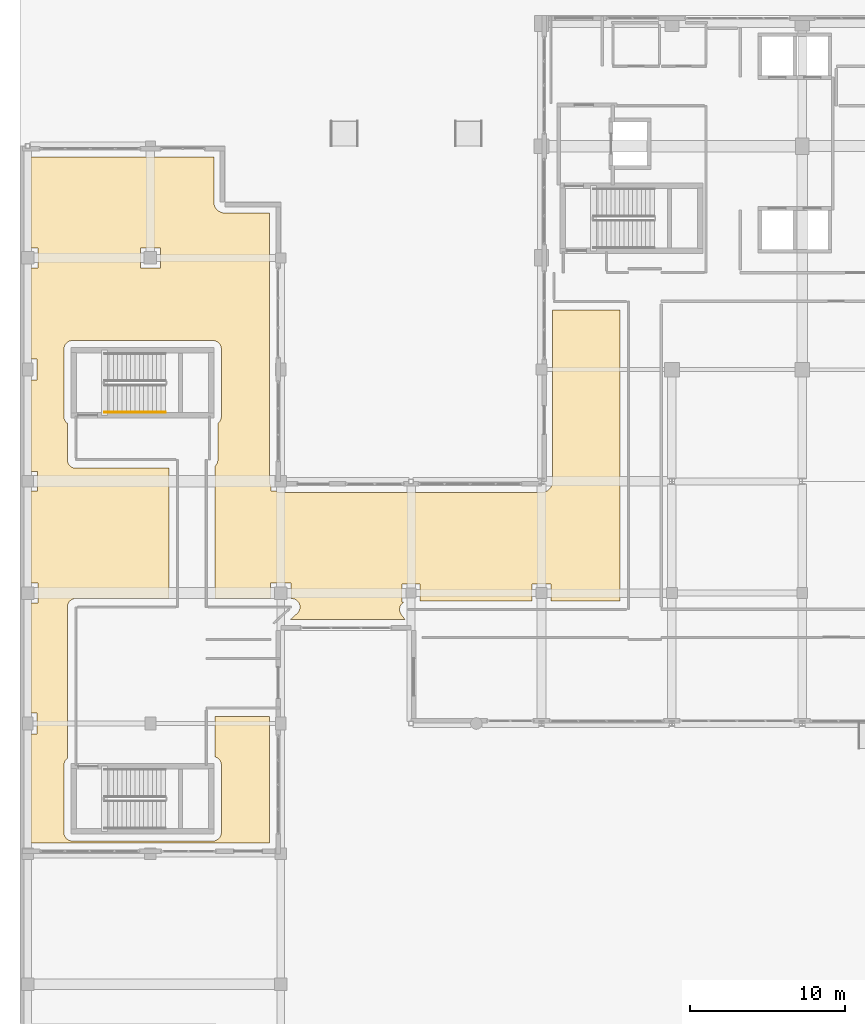
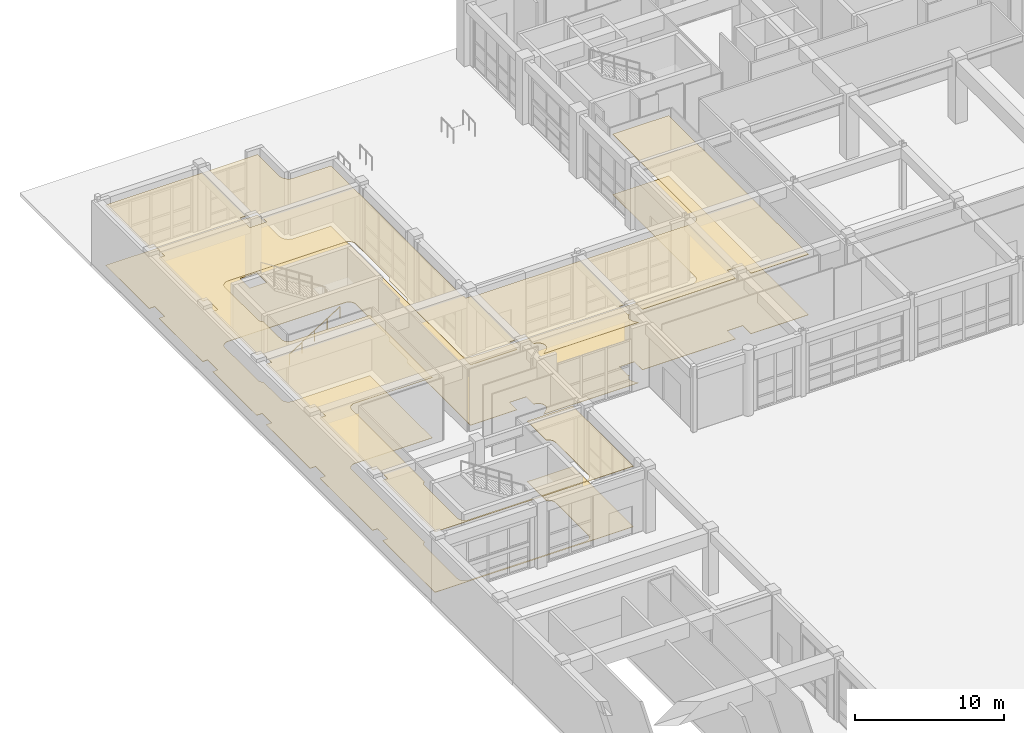
# One storey, part 141 of 148: 2 coverings, 1 railing.
"""IFC4 building model written with IfcOpenShell, lengths in metres."""

from ifc_helpers import new_model, si_unit, direction, frame, origin, origin_2d, place, context, subcontext, project, spatial, polyline, circle, outline, extrude, material, layer, layer_set, type_object, element, save


model = new_model("IFC4")

# Units and contexts
model_context = context("Model", 3, precision=1e-05, world=origin(), true_north=direction((0.0, 1.0)))
body_context = subcontext(model_context, "Body", "Model", "MODEL_VIEW")
ifc_project = project(units=[si_unit("LENGTHUNIT", "METRE"), si_unit("AREAUNIT", "SQUARE_METRE"), si_unit("VOLUMEUNIT", "CUBIC_METRE"), si_unit("PLANEANGLEUNIT", "RADIAN"), si_unit("MASSUNIT", "GRAM", prefix="KILO")], contexts=[model_context])

# Site, building, storey
site_placement = place(None, origin())
site = spatial("IfcSite", under=ifc_project, at=site_placement, CompositionType="ELEMENT")
building_placement = place(site_placement, origin())
building = spatial("IfcBuilding", under=site, at=building_placement, Name="Quendrovan Civic Courthouse", CompositionType="ELEMENT")
storey_placement = place(building_placement, origin())
storey = spatial("IfcBuildingStorey", under=building, at=storey_placement, Name="L01", CompositionType="ELEMENT", Elevation=0.0)

# Coverings
ifc_material_1 = material(Name="Perforated Western Red Cedar and mineral acoustic ceiling")
ifc_layer_1 = layer(ifc_material_1, 0.034912109375, Name="Perforated Western Red Cedar and mineral acoustic ceiling")
ifc_layer_set_1 = layer_set([ifc_layer_1], Name="Perforated Western Red Cedar and mineral acoustic ceiling")
covering_type_1 = type_object("IfcCoveringType", Name="COV-CEIL-ACOUSTIC", PredefinedType="CEILING", material=ifc_layer_set_1)
covering_1_placement = place(storey_placement, frame((0.0, 0.0, 4.945068359375)))
element("IfcCovering", 1, at=covering_1_placement, inside=storey, type_object=covering_type_1, Name="L01 Public Hall Acoustic Ceiling", PredefinedType="CEILING", context=body_context, shape_type="SweptSolid", body=[
    extrude(outline(polyline([(33.95849609375, 79.787353515625), (33.971923828125, 79.79541015625), (34.015380859375, 79.824462890625), (34.028076171875, 79.833740234375), (34.072509765625, 79.870361328125), (34.083984375, 79.880859375), (34.119140625, 79.916015625), (34.129638671875, 79.927490234375), (34.166259765625, 79.971923828125), (34.175537109375, 79.984619140625), (34.20458984375, 80.028076171875), (34.212646484375, 80.04150390625), (34.238525390625, 80.08984375), (34.2451171875, 80.10400390625), (34.265625, 80.1533203125), (34.27099609375, 80.168212890625), (34.28662109375, 80.22021484375), (34.29052734375, 80.2353515625), (34.30078125, 80.2880859375), (34.30322265625, 80.3037109375), (34.30859375, 80.356201171875), (34.309326171875, 80.3720703125), (34.31005859375, 80.39990234375), (34.31005859375, 91.4580078125), (34.34619140625, 91.45263671875), (34.39990234375, 91.449951171875), (38.64990234375, 91.449951171875), (38.64990234375, 72.699951171875), (34.199951171875, 72.699951171875), (34.199951171875, 73.800048828125), (33.0, 73.800048828125), (33.0, 72.699951171875), (25.77490234375, 72.699951171875), (25.77490234375, 73.77490234375), (24.625, 73.77490234375), (24.625, 72.625), (24.73095703125, 72.625), (24.6953125, 72.603271484375), (24.651611328125, 72.569580078125), (24.611328125, 72.531982421875), (24.574951171875, 72.490234375), (24.543212890625, 72.4453125), (24.515869140625, 72.397216796875), (24.493408203125, 72.3466796875), (24.476318359375, 72.294189453125), (24.464599609375, 72.240478515625), (24.458251953125, 72.185546875), (24.45751953125, 72.13037109375), (24.462158203125, 72.075439453125), (24.472412109375, 72.02099609375), (24.488037109375, 71.96826171875), (24.5087890625, 71.9169921875), (24.53466796875, 71.868408203125), (24.565185546875, 71.822509765625), (24.797119140625, 71.510009765625), (17.435791015625, 71.510009765625), (17.857666015625, 71.892578125), (17.896484375, 71.931396484375), (17.931396484375, 71.97412109375), (17.9619140625, 72.02001953125), (17.9873046875, 72.06884765625), (18.008056640625, 72.1201171875), (18.0234375, 72.1728515625), (18.033447265625, 72.22705078125), (18.0380859375, 72.281982421875), (18.037109375, 72.337158203125), (18.030517578125, 72.391845703125), (18.018798828125, 72.445556640625), (18.00146484375, 72.497802734375), (17.97900390625, 72.54833984375), (17.951904296875, 72.59619140625), (17.919921875, 72.64111328125), (17.883544921875, 72.6826171875), (17.84326171875, 72.72021484375), (17.799560546875, 72.75341796875), (17.75244140625, 72.782470703125), (17.702880859375, 72.806396484375), (17.651123046875, 72.8251953125), (17.597900390625, 72.839111328125), (17.543212890625, 72.84716796875), (17.48828125, 72.85009765625), (17.449951171875, 72.85009765625), (17.449951171875, 73.85009765625), (16.14990234375, 73.85009765625), (16.14990234375, 72.85009765625), (12.550048828125, 72.85009765625), (12.550048828125, 81.375732421875), (12.5888671875, 81.4111328125), (12.625244140625, 81.451171875), (12.6572265625, 81.494384765625), (12.68505859375, 81.540771484375), (12.7080078125, 81.589599609375), (12.726318359375, 81.640380859375), (12.739501953125, 81.692626953125), (12.747314453125, 81.74609375), (12.75, 81.800048828125), (12.75, 84.140869140625), (12.768798828125, 84.15478515625), (12.808837890625, 84.191162109375), (12.84521484375, 84.231201171875), (12.877197265625, 84.2744140625), (12.905029296875, 84.32080078125), (12.927978515625, 84.369384765625), (12.9462890625, 84.42041015625), (12.95947265625, 84.47265625), (12.96728515625, 84.526123046875), (12.969970703125, 84.580078125), (12.969970703125, 88.919921875), (12.96728515625, 88.973876953125), (12.95947265625, 89.02734375), (12.9462890625, 89.07958984375), (12.927978515625, 89.130615234375), (12.905029296875, 89.17919921875), (12.877197265625, 89.2255859375), (12.84521484375, 89.268798828125), (12.808837890625, 89.308837890625), (12.768798828125, 89.34521484375), (12.7255859375, 89.377197265625), (12.67919921875, 89.405029296875), (12.630615234375, 89.427978515625), (12.57958984375, 89.4462890625), (12.52734375, 89.45947265625), (12.473876953125, 89.46728515625), (12.419921875, 89.469970703125), (3.3798828125, 89.469970703125), (3.326171875, 89.46728515625), (3.272705078125, 89.45947265625), (3.22021484375, 89.4462890625), (3.16943359375, 89.427978515625), (3.12060546875, 89.405029296875), (3.074462890625, 89.377197265625), (3.031005859375, 89.34521484375), (2.9912109375, 89.308837890625), (2.954833984375, 89.268798828125), (2.922607421875, 89.2255859375), (2.89501953125, 89.17919921875), (2.871826171875, 89.130615234375), (2.853759765625, 89.07958984375), (2.840576171875, 89.02734375), (2.83251953125, 88.973876953125), (2.830078125, 88.919921875), (2.830078125, 84.580078125), (2.83251953125, 84.526123046875), (2.840576171875, 84.47265625), (2.853759765625, 84.42041015625), (2.871826171875, 84.369384765625), (2.89501953125, 84.32080078125), (2.922607421875, 84.2744140625), (2.954833984375, 84.231201171875), (2.9912109375, 84.191162109375), (3.031005859375, 84.15478515625), (3.050048828125, 84.140869140625), (3.050048828125, 81.800048828125), (3.052490234375, 81.74609375), (3.060546875, 81.692626953125), (3.07373046875, 81.640380859375), (3.091796875, 81.589599609375), (3.114990234375, 81.540771484375), (3.142578125, 81.494384765625), (3.1748046875, 81.451171875), (3.211181640625, 81.4111328125), (3.251220703125, 81.374755859375), (3.29443359375, 81.3427734375), (3.3408203125, 81.31494140625), (3.389404296875, 81.2919921875), (3.440185546875, 81.273681640625), (3.49267578125, 81.260498046875), (3.546142578125, 81.252685546875), (3.60009765625, 81.25), (9.60009765625, 81.25), (9.60009765625, 72.85009765625), (3.60009765625, 72.85009765625), (3.546142578125, 72.847412109375), (3.49267578125, 72.83935546875), (3.440185546875, 72.826416015625), (3.389404296875, 72.80810546875), (3.3408203125, 72.78515625), (3.29443359375, 72.75732421875), (3.251220703125, 72.72509765625), (3.211181640625, 72.68896484375), (3.1748046875, 72.64892578125), (3.142578125, 72.605712890625), (3.114990234375, 72.559326171875), (3.091796875, 72.510498046875), (3.07373046875, 72.459716796875), (3.060546875, 72.4072265625), (3.052490234375, 72.35400390625), (3.050048828125, 72.300048828125), (3.050048828125, 62.55908203125), (3.031005859375, 62.545166015625), (2.9912109375, 62.5087890625), (2.954833984375, 62.468994140625), (2.922607421875, 62.425537109375), (2.89501953125, 62.37939453125), (2.871826171875, 62.33056640625), (2.853759765625, 62.27978515625), (2.840576171875, 62.227294921875), (2.83251953125, 62.173828125), (2.830078125, 62.1201171875), (2.830078125, 57.780029296875), (2.83251953125, 57.72607421875), (2.840576171875, 57.672607421875), (2.853759765625, 57.620361328125), (2.871826171875, 57.569580078125), (2.89501953125, 57.520751953125), (2.922607421875, 57.474365234375), (2.954833984375, 57.43115234375), (2.9912109375, 57.39111328125), (3.031005859375, 57.354736328125), (3.074462890625, 57.32275390625), (3.12060546875, 57.294921875), (3.16943359375, 57.27197265625), (3.22021484375, 57.253662109375), (3.272705078125, 57.240478515625), (3.326171875, 57.232666015625), (3.3798828125, 57.22998046875), (12.419921875, 57.22998046875), (12.473876953125, 57.232666015625), (12.52734375, 57.240478515625), (12.57958984375, 57.253662109375), (12.630615234375, 57.27197265625), (12.67919921875, 57.294921875), (12.7255859375, 57.32275390625), (12.768798828125, 57.354736328125), (12.808837890625, 57.39111328125), (12.84521484375, 57.43115234375), (12.877197265625, 57.474365234375), (12.905029296875, 57.520751953125), (12.927978515625, 57.569580078125), (12.9462890625, 57.620361328125), (12.95947265625, 57.672607421875), (12.96728515625, 57.72607421875), (12.969970703125, 57.780029296875), (12.969970703125, 62.1201171875), (12.96728515625, 62.173828125), (12.95947265625, 62.227294921875), (12.9462890625, 62.27978515625), (12.927978515625, 62.33056640625), (12.905029296875, 62.37939453125), (12.877197265625, 62.425537109375), (12.84521484375, 62.468994140625), (12.808837890625, 62.5087890625), (12.768798828125, 62.545166015625), (12.7255859375, 62.577392578125), (12.67919921875, 62.60498046875), (12.630615234375, 62.628173828125), (12.57958984375, 62.646240234375), (12.550048828125, 62.65380859375), (12.550048828125, 65.25), (16.090087890625, 65.25), (16.090087890625, 57.110107421875), (0.7099609375, 57.110107421875), (0.7099609375, 64.125), (1.10009765625, 64.125), (1.10009765625, 65.47509765625), (0.7099609375, 65.47509765625), (0.7099609375, 72.550048828125), (1.14990234375, 72.550048828125), (1.14990234375, 73.85009765625), (0.7099609375, 73.85009765625), (0.7099609375, 79.77490234375), (1.125, 79.77490234375), (1.125, 81.02490234375), (0.7099609375, 81.02490234375), (0.7099609375, 86.925048828125), (1.10009765625, 86.925048828125), (1.10009765625, 88.27490234375), (0.7099609375, 88.27490234375), (0.7099609375, 94.14990234375), (1.14990234375, 94.14990234375), (1.14990234375, 95.449951171875), (0.7099609375, 95.449951171875), (0.7099609375, 101.2900390625), (12.489990234375, 101.2900390625), (12.489990234375, 98.39990234375), (12.49072265625, 98.3720703125), (12.491455078125, 98.356201171875), (12.496826171875, 98.3037109375), (12.4990234375, 98.2880859375), (12.509521484375, 98.2353515625), (12.51318359375, 98.22021484375), (12.529052734375, 98.168212890625), (12.534423828125, 98.1533203125), (12.5546875, 98.10400390625), (12.5615234375, 98.08984375), (12.58740234375, 98.04150390625), (12.595458984375, 98.028076171875), (12.62451171875, 97.984619140625), (12.6337890625, 97.971923828125), (12.67041015625, 97.927490234375), (12.680908203125, 97.916015625), (12.7158203125, 97.880859375), (12.7275390625, 97.870361328125), (12.77197265625, 97.833740234375), (12.784423828125, 97.824462890625), (12.828125, 97.79541015625), (12.841552734375, 97.787353515625), (12.889892578125, 97.761474609375), (12.904052734375, 97.7548828125), (12.953369140625, 97.734375), (12.96826171875, 97.72900390625), (13.020263671875, 97.71337890625), (13.035400390625, 97.70947265625), (13.088134765625, 97.69921875), (13.103515625, 97.69677734375), (13.15625, 97.69140625), (13.172119140625, 97.690673828125), (13.199951171875, 97.68994140625), (16.090087890625, 97.68994140625), (16.090087890625, 80.39990234375), (16.0908203125, 80.3720703125), (16.091552734375, 80.356201171875), (16.0966796875, 80.3037109375), (16.09912109375, 80.2880859375), (16.109619140625, 80.2353515625), (16.11328125, 80.22021484375), (16.129150390625, 80.168212890625), (16.134521484375, 80.1533203125), (16.15478515625, 80.10400390625), (16.16162109375, 80.08984375), (16.175048828125, 80.064697265625), (16.175048828125, 79.77490234375), (16.464599609375, 79.77490234375), (16.489990234375, 79.761474609375), (16.504150390625, 79.7548828125), (16.553466796875, 79.734375), (16.568115234375, 79.72900390625), (16.6201171875, 79.71337890625), (16.635498046875, 79.70947265625), (16.68798828125, 79.69921875), (16.70361328125, 79.69677734375), (16.75634765625, 79.69140625), (16.77197265625, 79.690673828125), (16.800048828125, 79.68994140625), (33.60009765625, 79.68994140625), (33.6279296875, 79.690673828125), (33.643798828125, 79.69140625), (33.6962890625, 79.69677734375), (33.7119140625, 79.69921875), (33.7646484375, 79.70947265625), (33.77978515625, 79.71337890625), (33.831787109375, 79.72900390625), (33.8466796875, 79.734375), (33.89599609375, 79.7548828125), (33.91015625, 79.761474609375), (33.95849609375, 79.787353515625)]), holes=[polyline([(9.050048828125, 95.449951171875), (7.75, 95.449951171875), (7.75, 94.14990234375), (9.050048828125, 94.14990234375), (9.050048828125, 95.449951171875)])]), origin(), (0.0, 0.0, 1.0), 0.034912109375),
])
ifc_material_2 = material(Name="Honed Dominican coralina limestone flooring", Category="masonry")
ifc_layer_2 = layer(ifc_material_2, 0.030029296875, Name="Honed Dominican coralina limestone flooring")
ifc_layer_set_2 = layer_set([ifc_layer_2], Name="Honed Dominican coralina limestone flooring")
covering_type_2 = type_object("IfcCoveringType", Name="COV-FLOR-STONE", PredefinedType="FLOORING", material=ifc_layer_set_2)
covering_2_placement = place(storey_placement, origin())
element("IfcCovering", 2, at=covering_2_placement, inside=storey, type_object=covering_type_2, Name="L01 Public Hall Finish Flooring", PredefinedType="FLOORING", context=body_context, shape_type="SweptSolid", body=[
    extrude(outline(polyline([(33.95849609375, 79.787353515625), (33.971923828125, 79.79541015625), (34.015380859375, 79.824462890625), (34.028076171875, 79.833740234375), (34.072509765625, 79.870361328125), (34.083984375, 79.880859375), (34.119140625, 79.916015625), (34.129638671875, 79.927490234375), (34.166259765625, 79.971923828125), (34.175537109375, 79.984619140625), (34.20458984375, 80.028076171875), (34.212646484375, 80.04150390625), (34.238525390625, 80.08984375), (34.2451171875, 80.10400390625), (34.265625, 80.1533203125), (34.27099609375, 80.168212890625), (34.28662109375, 80.22021484375), (34.29052734375, 80.2353515625), (34.30078125, 80.2880859375), (34.30322265625, 80.3037109375), (34.30859375, 80.356201171875), (34.309326171875, 80.3720703125), (34.31005859375, 80.39990234375), (34.31005859375, 91.4580078125), (34.34619140625, 91.45263671875), (34.39990234375, 91.449951171875), (38.64990234375, 91.449951171875), (38.64990234375, 72.699951171875), (34.199951171875, 72.699951171875), (34.199951171875, 73.800048828125), (33.0, 73.800048828125), (33.0, 72.699951171875), (25.77490234375, 72.699951171875), (25.77490234375, 73.77490234375), (24.625, 73.77490234375), (24.625, 72.625), (24.73095703125, 72.625), (24.6953125, 72.603271484375), (24.651611328125, 72.569580078125), (24.611328125, 72.531982421875), (24.574951171875, 72.490234375), (24.543212890625, 72.4453125), (24.515869140625, 72.397216796875), (24.493408203125, 72.3466796875), (24.476318359375, 72.294189453125), (24.464599609375, 72.240478515625), (24.458251953125, 72.185546875), (24.45751953125, 72.13037109375), (24.462158203125, 72.075439453125), (24.472412109375, 72.02099609375), (24.488037109375, 71.96826171875), (24.5087890625, 71.9169921875), (24.53466796875, 71.868408203125), (24.565185546875, 71.822509765625), (24.797119140625, 71.510009765625), (17.435791015625, 71.510009765625), (17.857666015625, 71.892578125), (17.896484375, 71.931396484375), (17.931396484375, 71.97412109375), (17.9619140625, 72.02001953125), (17.9873046875, 72.06884765625), (18.008056640625, 72.1201171875), (18.0234375, 72.1728515625), (18.033447265625, 72.22705078125), (18.0380859375, 72.281982421875), (18.037109375, 72.337158203125), (18.030517578125, 72.391845703125), (18.018798828125, 72.445556640625), (18.00146484375, 72.497802734375), (17.97900390625, 72.54833984375), (17.951904296875, 72.59619140625), (17.919921875, 72.64111328125), (17.883544921875, 72.6826171875), (17.84326171875, 72.72021484375), (17.799560546875, 72.75341796875), (17.75244140625, 72.782470703125), (17.702880859375, 72.806396484375), (17.651123046875, 72.8251953125), (17.597900390625, 72.839111328125), (17.543212890625, 72.84716796875), (17.48828125, 72.85009765625), (17.449951171875, 72.85009765625), (17.449951171875, 73.85009765625), (16.14990234375, 73.85009765625), (16.14990234375, 72.85009765625), (12.550048828125, 72.85009765625), (12.550048828125, 81.375732421875), (12.5888671875, 81.4111328125), (12.625244140625, 81.451171875), (12.6572265625, 81.494384765625), (12.68505859375, 81.540771484375), (12.7080078125, 81.589599609375), (12.726318359375, 81.640380859375), (12.739501953125, 81.692626953125), (12.747314453125, 81.74609375), (12.75, 81.800048828125), (12.75, 84.140869140625), (12.768798828125, 84.15478515625), (12.808837890625, 84.191162109375), (12.84521484375, 84.231201171875), (12.877197265625, 84.2744140625), (12.905029296875, 84.32080078125), (12.927978515625, 84.369384765625), (12.9462890625, 84.42041015625), (12.95947265625, 84.47265625), (12.96728515625, 84.526123046875), (12.969970703125, 84.580078125), (12.969970703125, 88.919921875), (12.96728515625, 88.973876953125), (12.95947265625, 89.02734375), (12.9462890625, 89.07958984375), (12.927978515625, 89.130615234375), (12.905029296875, 89.17919921875), (12.877197265625, 89.2255859375), (12.84521484375, 89.268798828125), (12.808837890625, 89.308837890625), (12.768798828125, 89.34521484375), (12.7255859375, 89.377197265625), (12.67919921875, 89.405029296875), (12.630615234375, 89.427978515625), (12.57958984375, 89.4462890625), (12.52734375, 89.45947265625), (12.473876953125, 89.46728515625), (12.419921875, 89.469970703125), (3.3798828125, 89.469970703125), (3.326171875, 89.46728515625), (3.272705078125, 89.45947265625), (3.22021484375, 89.4462890625), (3.16943359375, 89.427978515625), (3.12060546875, 89.405029296875), (3.074462890625, 89.377197265625), (3.031005859375, 89.34521484375), (2.9912109375, 89.308837890625), (2.954833984375, 89.268798828125), (2.922607421875, 89.2255859375), (2.89501953125, 89.17919921875), (2.871826171875, 89.130615234375), (2.853759765625, 89.07958984375), (2.840576171875, 89.02734375), (2.83251953125, 88.973876953125), (2.830078125, 88.919921875), (2.830078125, 84.580078125), (2.83251953125, 84.526123046875), (2.840576171875, 84.47265625), (2.853759765625, 84.42041015625), (2.871826171875, 84.369384765625), (2.89501953125, 84.32080078125), (2.922607421875, 84.2744140625), (2.954833984375, 84.231201171875), (2.9912109375, 84.191162109375), (3.031005859375, 84.15478515625), (3.050048828125, 84.140869140625), (3.050048828125, 81.800048828125), (3.052490234375, 81.74609375), (3.060546875, 81.692626953125), (3.07373046875, 81.640380859375), (3.091796875, 81.589599609375), (3.114990234375, 81.540771484375), (3.142578125, 81.494384765625), (3.1748046875, 81.451171875), (3.211181640625, 81.4111328125), (3.251220703125, 81.374755859375), (3.29443359375, 81.3427734375), (3.3408203125, 81.31494140625), (3.389404296875, 81.2919921875), (3.440185546875, 81.273681640625), (3.49267578125, 81.260498046875), (3.546142578125, 81.252685546875), (3.60009765625, 81.25), (9.60009765625, 81.25), (9.60009765625, 72.85009765625), (3.60009765625, 72.85009765625), (3.546142578125, 72.847412109375), (3.49267578125, 72.83935546875), (3.440185546875, 72.826416015625), (3.389404296875, 72.80810546875), (3.3408203125, 72.78515625), (3.29443359375, 72.75732421875), (3.251220703125, 72.72509765625), (3.211181640625, 72.68896484375), (3.1748046875, 72.64892578125), (3.142578125, 72.605712890625), (3.114990234375, 72.559326171875), (3.091796875, 72.510498046875), (3.07373046875, 72.459716796875), (3.060546875, 72.4072265625), (3.052490234375, 72.35400390625), (3.050048828125, 72.300048828125), (3.050048828125, 62.55908203125), (3.031005859375, 62.545166015625), (2.9912109375, 62.5087890625), (2.954833984375, 62.468994140625), (2.922607421875, 62.425537109375), (2.89501953125, 62.37939453125), (2.871826171875, 62.33056640625), (2.853759765625, 62.27978515625), (2.840576171875, 62.227294921875), (2.83251953125, 62.173828125), (2.830078125, 62.1201171875), (2.830078125, 57.780029296875), (2.83251953125, 57.72607421875), (2.840576171875, 57.672607421875), (2.853759765625, 57.620361328125), (2.871826171875, 57.569580078125), (2.89501953125, 57.520751953125), (2.922607421875, 57.474365234375), (2.954833984375, 57.43115234375), (2.9912109375, 57.39111328125), (3.031005859375, 57.354736328125), (3.074462890625, 57.32275390625), (3.12060546875, 57.294921875), (3.16943359375, 57.27197265625), (3.22021484375, 57.253662109375), (3.272705078125, 57.240478515625), (3.326171875, 57.232666015625), (3.3798828125, 57.22998046875), (12.419921875, 57.22998046875), (12.473876953125, 57.232666015625), (12.52734375, 57.240478515625), (12.57958984375, 57.253662109375), (12.630615234375, 57.27197265625), (12.67919921875, 57.294921875), (12.7255859375, 57.32275390625), (12.768798828125, 57.354736328125), (12.808837890625, 57.39111328125), (12.84521484375, 57.43115234375), (12.877197265625, 57.474365234375), (12.905029296875, 57.520751953125), (12.927978515625, 57.569580078125), (12.9462890625, 57.620361328125), (12.95947265625, 57.672607421875), (12.96728515625, 57.72607421875), (12.969970703125, 57.780029296875), (12.969970703125, 62.1201171875), (12.96728515625, 62.173828125), (12.95947265625, 62.227294921875), (12.9462890625, 62.27978515625), (12.927978515625, 62.33056640625), (12.905029296875, 62.37939453125), (12.877197265625, 62.425537109375), (12.84521484375, 62.468994140625), (12.808837890625, 62.5087890625), (12.768798828125, 62.545166015625), (12.7255859375, 62.577392578125), (12.67919921875, 62.60498046875), (12.630615234375, 62.628173828125), (12.57958984375, 62.646240234375), (12.550048828125, 62.65380859375), (12.550048828125, 65.25), (16.090087890625, 65.25), (16.090087890625, 57.110107421875), (0.7099609375, 57.110107421875), (0.7099609375, 64.125), (1.10009765625, 64.125), (1.10009765625, 65.47509765625), (0.7099609375, 65.47509765625), (0.7099609375, 72.550048828125), (1.14990234375, 72.550048828125), (1.14990234375, 73.85009765625), (0.7099609375, 73.85009765625), (0.7099609375, 79.77490234375), (1.125, 79.77490234375), (1.125, 81.02490234375), (0.7099609375, 81.02490234375), (0.7099609375, 86.925048828125), (1.10009765625, 86.925048828125), (1.10009765625, 88.27490234375), (0.7099609375, 88.27490234375), (0.7099609375, 94.14990234375), (1.14990234375, 94.14990234375), (1.14990234375, 95.449951171875), (0.7099609375, 95.449951171875), (0.7099609375, 101.2900390625), (12.489990234375, 101.2900390625), (12.489990234375, 98.39990234375), (12.49072265625, 98.3720703125), (12.491455078125, 98.356201171875), (12.496826171875, 98.3037109375), (12.4990234375, 98.2880859375), (12.509521484375, 98.2353515625), (12.51318359375, 98.22021484375), (12.529052734375, 98.168212890625), (12.534423828125, 98.1533203125), (12.5546875, 98.10400390625), (12.5615234375, 98.08984375), (12.58740234375, 98.04150390625), (12.595458984375, 98.028076171875), (12.62451171875, 97.984619140625), (12.6337890625, 97.971923828125), (12.67041015625, 97.927490234375), (12.680908203125, 97.916015625), (12.7158203125, 97.880859375), (12.7275390625, 97.870361328125), (12.77197265625, 97.833740234375), (12.784423828125, 97.824462890625), (12.828125, 97.79541015625), (12.841552734375, 97.787353515625), (12.889892578125, 97.761474609375), (12.904052734375, 97.7548828125), (12.953369140625, 97.734375), (12.96826171875, 97.72900390625), (13.020263671875, 97.71337890625), (13.035400390625, 97.70947265625), (13.088134765625, 97.69921875), (13.103515625, 97.69677734375), (13.15625, 97.69140625), (13.172119140625, 97.690673828125), (13.199951171875, 97.68994140625), (16.090087890625, 97.68994140625), (16.090087890625, 80.39990234375), (16.0908203125, 80.3720703125), (16.091552734375, 80.356201171875), (16.0966796875, 80.3037109375), (16.09912109375, 80.2880859375), (16.109619140625, 80.2353515625), (16.11328125, 80.22021484375), (16.129150390625, 80.168212890625), (16.134521484375, 80.1533203125), (16.15478515625, 80.10400390625), (16.16162109375, 80.08984375), (16.175048828125, 80.064697265625), (16.175048828125, 79.77490234375), (16.464599609375, 79.77490234375), (16.489990234375, 79.761474609375), (16.504150390625, 79.7548828125), (16.553466796875, 79.734375), (16.568115234375, 79.72900390625), (16.6201171875, 79.71337890625), (16.635498046875, 79.70947265625), (16.68798828125, 79.69921875), (16.70361328125, 79.69677734375), (16.75634765625, 79.69140625), (16.77197265625, 79.690673828125), (16.800048828125, 79.68994140625), (33.60009765625, 79.68994140625), (33.6279296875, 79.690673828125), (33.643798828125, 79.69140625), (33.6962890625, 79.69677734375), (33.7119140625, 79.69921875), (33.7646484375, 79.70947265625), (33.77978515625, 79.71337890625), (33.831787109375, 79.72900390625), (33.8466796875, 79.734375), (33.89599609375, 79.7548828125), (33.91015625, 79.761474609375), (33.95849609375, 79.787353515625)]), holes=[polyline([(9.050048828125, 95.449951171875), (7.75, 95.449951171875), (7.75, 94.14990234375), (9.050048828125, 94.14990234375), (9.050048828125, 95.449951171875)])]), origin(), (0.0, 0.0, 1.0), 0.030029296875),
])

# Railing
ifc_material_3 = material(Name="Bronze anodised aluminium", Category="aluminium")
railing_type = type_object("IfcRailingType", Name="RL-STR-HAND900", PredefinedType="HANDRAIL", material=ifc_material_3)
railing_placement = place(storey_placement, frame((5.449951171875, 84.85009765625, 0.179931640625)))
element("IfcRailing", 3, at=railing_placement, inside=storey, type_object=railing_type, Name="L01 ST8 stair handrail 1", PredefinedType="HANDRAIL", context=body_context, shape_type="SweptSolid", body=[
    extrude(circle(Radius=0.02392578125, at=origin_2d()), frame((0.0, 0.0, 0.8759765625), z_axis=(0.841186985886, 0.0, 0.540744352514), x_axis=(0.0, 1.0, 0.0)), (0.0, 0.0, 1.0), 4.660400390625),
    extrude(circle(Radius=0.02099609375, at=origin_2d()), origin(), (0.0, 0.0, 1.0), 0.851806640625),
    extrude(circle(Radius=0.02099609375, at=origin_2d()), frame((0.97998046875, 0.0, 0.6298828125)), (0.0, 0.0, 1.0), 0.851806640625),
    extrude(circle(Radius=0.02099609375, at=origin_2d()), frame((1.9599609375, 0.0, 1.260009765625)), (0.0, 0.0, 1.0), 0.851806640625),
    extrude(circle(Radius=0.02099609375, at=origin_2d()), frame((2.940185546875, 0.0, 1.89013671875)), (0.0, 0.0, 1.0), 0.851806640625),
    extrude(circle(Radius=0.02099609375, at=origin_2d()), frame((3.920166015625, 0.0, 2.52001953125)), (0.0, 0.0, 1.0), 0.851806640625),
])

save(model, "model.ifc")
